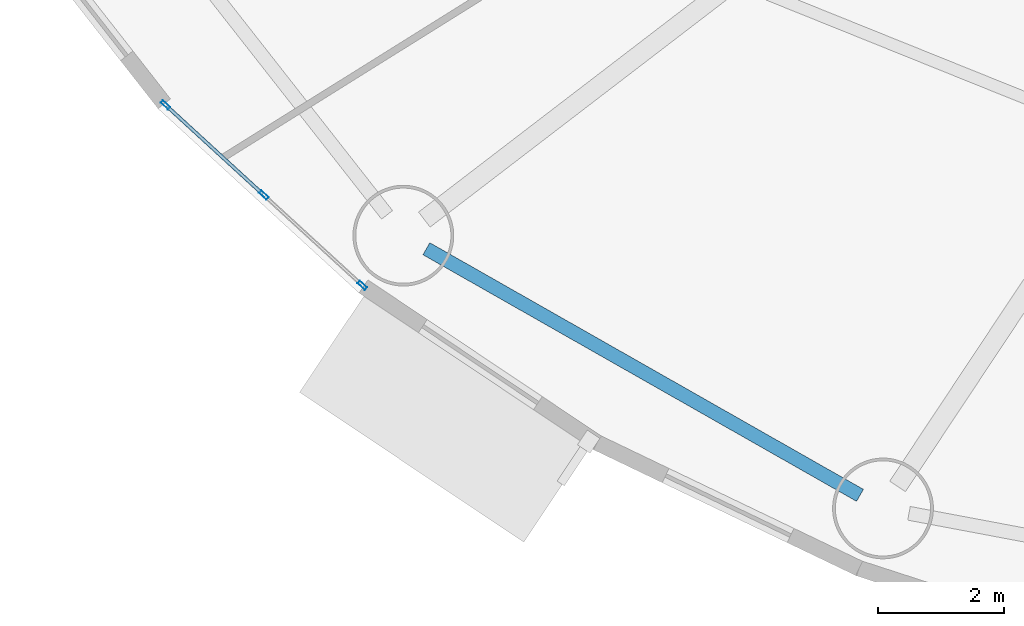
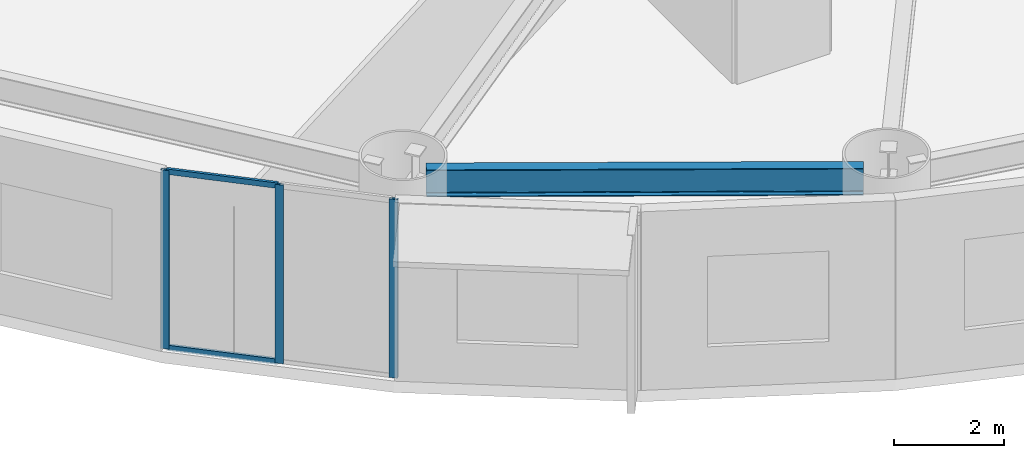
# One storey, part 4 of 28: 5 members, 1 beam, 1 element without a shape of its own.
"""IFC4 building model written with IfcOpenShell, lengths in metres."""

from ifc_helpers import new_model, si_unit, direction, frame, origin, origin_2d, place, context, subcontext, project, spatial, hollow_rectangle, i_section, extrude, source, transform, mapped, material, layer, layer_set, material_profile, profile_set, type_object, element, aggregate, save


model = new_model("IFC4")

# Units and contexts
model_context = context("Model", 3, precision=1e-05, world=origin(), true_north=direction((0.0, 1.0)))
body_context = subcontext(model_context, "Body", "Model", "MODEL_VIEW")
ifc_project = project(units=[si_unit("LENGTHUNIT", "METRE"), si_unit("AREAUNIT", "SQUARE_METRE"), si_unit("VOLUMEUNIT", "CUBIC_METRE"), si_unit("PLANEANGLEUNIT", "RADIAN"), si_unit("MASSUNIT", "GRAM", prefix="KILO")], contexts=[model_context])

# Site, building, storey
site_placement = place(None, origin())
site = spatial("IfcSite", under=ifc_project, at=site_placement, CompositionType="ELEMENT")
building_placement = place(site_placement, origin())
building = spatial("IfcBuilding", under=site, at=building_placement, Name="Linh Dai School and Residence Tower", CompositionType="ELEMENT")
storey_placement = place(building_placement, frame((0.0, 0.0, 36.60009765625)))
storey = spatial("IfcBuildingStorey", under=building, at=storey_placement, Name="L08", CompositionType="ELEMENT", Elevation=36.60009765625)

# Beam
ifc_material_1 = material(Name="Structural Steel S355JR", Category="steel")
ifc_material_profile_1 = material_profile(ifc_material_1, i_section(OverallWidth=0.219970703125, OverallDepth=0.60009765625, WebThickness=0.011962890625, FlangeThickness=0.01904296875, FilletRadius=0.02392578125, at=origin_2d()), Name="IPE 600")
ifc_profile_set_1 = profile_set([ifc_material_profile_1], Name="Structural Steel S355JR")
beam_type = type_object("IfcBeamType", Name="BM-RB60", PredefinedType="BEAM", material=ifc_profile_set_1)
beam_placement = place(storey_placement, frame((15.012451171875, 10.42333984375, 3.64990234375), z_axis=(0.869271416992, -0.494335112653, 0.0), x_axis=(0.494335112653, 0.869271416992, 0.0)))
element("IfcBeam", 1, at=beam_placement, inside=storey, type_object=beam_type, Name="L08 Perimeter Elliptical Ring Beam 11", PredefinedType="BEAM", context=body_context, shape_type="SweptSolid", body=[
    extrude(i_section(OverallWidth=0.219970703125, OverallDepth=0.60009765625, WebThickness=0.011962890625, FlangeThickness=0.01904296875, FilletRadius=0.02392578125, at=origin_2d()), origin(), (0.0, 0.0, 1.0), 7.91943359375),
])

# Curtain wall, members
ifc_material_2 = material(Name="Aluminium Anodised Curtain Wall", Category="aluminium")
ifc_layer = layer(ifc_material_2, 0.159912109375)
ifc_layer_set = layer_set([ifc_layer], Name="Aluminium Anodised Curtain Wall")
curtain_wall_type = type_object("IfcCurtainWallType", Name="CW-SYS-3", PredefinedType="USERDEFINED", material=ifc_layer_set)
curtain_wall_placement = place(storey_placement, origin())
curtain_wall = element("IfcCurtainWall", 2, at=curtain_wall_placement, inside=storey, type_object=curtain_wall_type, Name="L08 CW3 Curtain Wall 25", ObjectType="RIBBON CURTAIN WALL", PredefinedType="USERDEFINED")
ifc_material_3 = material(Name="Aluminium Alloy 6063-T6", Category="aluminium")
ifc_material_profile_2 = material_profile(ifc_material_3, hollow_rectangle(XDim=0.054931640625, YDim=0.1201171875, WallThickness=0.00390625, at=origin_2d()), Name="RHS 120x55x4")
ifc_profile_set_2 = profile_set([ifc_material_profile_2], Name="Aluminium Alloy 6063-T6")
member_type_1 = type_object("IfcMemberType", Name="CW-SYS-3-TRN", PredefinedType="USERDEFINED", material=ifc_profile_set_2)
shared_shape_1 = source(origin(), body_context, "Body", "SweptSolid", [
    extrude(hollow_rectangle(XDim=0.054931640625, YDim=0.1201171875, WallThickness=0.00390625, at=origin_2d()), origin(), (0.0, 0.0, 1.0), 2.064453125),
])
member_1_placement = place(storey_placement, frame((12.41259765625, 11.293212890625, 0.02734375), z_axis=(-0.737129594686, 0.675751404466, 0.0), x_axis=(-0.675751404466, -0.737129594686, 0.0)))
member_1 = element("IfcMember", 3, at=member_1_placement, type_object=member_type_1, Name="CW3 transom 2.1", ObjectType="TRANSOM", PredefinedType="USERDEFINED", context=body_context, shape_type="MappedRepresentation", body=[
    mapped(shared_shape_1, transform((0.0, 0.0, 0.0), x_axis=(1.0, 0.0, 0.0), y_axis=(0.0, 1.0, 0.0), z_axis=(0.0, 0.0, 1.0), scale=1.0)),
])
member_2_placement = place(storey_placement, frame((12.41259765625, 11.293212890625, 3.92236328125), z_axis=(-0.737129594686, 0.675751404466, 0.0), x_axis=(-0.675751404466, -0.737129594686, 0.0)))
member_2 = element("IfcMember", 4, at=member_2_placement, type_object=member_type_1, Name="CW3 transom 2.2", ObjectType="TRANSOM", PredefinedType="USERDEFINED", context=body_context, shape_type="MappedRepresentation", body=[
    mapped(shared_shape_1, transform((0.0, 0.0, 0.0), x_axis=(1.0, 0.0, 0.0), y_axis=(0.0, 1.0, 0.0), z_axis=(0.0, 0.0, 1.0), scale=1.0)),
])
ifc_material_profile_3 = material_profile(ifc_material_3, hollow_rectangle(XDim=0.054931640625, YDim=0.159912109375, WallThickness=0.00390625, at=origin_2d()), Name="RHS 160x55x4")
ifc_profile_set_3 = profile_set([ifc_material_profile_3], Name="Aluminium Alloy 6063-T6")
member_type_2 = type_object("IfcMemberType", Name="CW-SYS-3-MUL", PredefinedType="MULLION", material=ifc_profile_set_3)
shared_shape_2 = source(origin(), body_context, "Body", "SweptSolid", [
    extrude(hollow_rectangle(XDim=0.054931640625, YDim=0.159912109375, WallThickness=0.00390625, at=origin_2d()), origin(), (0.0, 0.0, 1.0), 3.949951171875),
])
member_3_placement = place(storey_placement, frame((13.9951171875, 9.84228515625, 0.0), z_axis=(0.0, 0.0, 1.0), x_axis=(-0.675769237268, -0.737113246362, 0.0)))
member_3 = element("IfcMember", 5, at=member_3_placement, type_object=member_type_2, Name="CW3 mullion 1", PredefinedType="MULLION", context=body_context, shape_type="MappedRepresentation", body=[
    mapped(shared_shape_2, transform((0.0, 0.0, 0.0), x_axis=(1.0, 0.0, 0.0), y_axis=(0.0, 1.0, 0.0), z_axis=(0.0, 0.0, 1.0), scale=1.0)),
])
member_4_placement = place(storey_placement, frame((12.432861328125, 11.274658203125, 0.0), z_axis=(0.0, 0.0, 1.0), x_axis=(-0.675769237268, -0.737113246362, 0.0)))
member_4 = element("IfcMember", 6, at=member_4_placement, type_object=member_type_2, Name="CW3 mullion 2", PredefinedType="MULLION", context=body_context, shape_type="MappedRepresentation", body=[
    mapped(shared_shape_2, transform((0.0, 0.0, 0.0), x_axis=(1.0, 0.0, 0.0), y_axis=(0.0, 1.0, 0.0), z_axis=(0.0, 0.0, 1.0), scale=1.0)),
])
member_5_placement = place(storey_placement, frame((10.87060546875, 12.706787109375, 0.0), z_axis=(0.0, 0.0, 1.0), x_axis=(-0.675769237268, -0.737113246362, 0.0)))
member_5 = element("IfcMember", 7, at=member_5_placement, type_object=member_type_2, Name="CW3 mullion 3", PredefinedType="MULLION", context=body_context, shape_type="MappedRepresentation", body=[
    mapped(shared_shape_2, transform((0.0, 0.0, 0.0), x_axis=(1.0, 0.0, 0.0), y_axis=(0.0, 1.0, 0.0), z_axis=(0.0, 0.0, 1.0), scale=1.0)),
])
aggregate(curtain_wall, [member_3, member_4, member_5, member_1, member_2])

save(model, "model.ifc")
